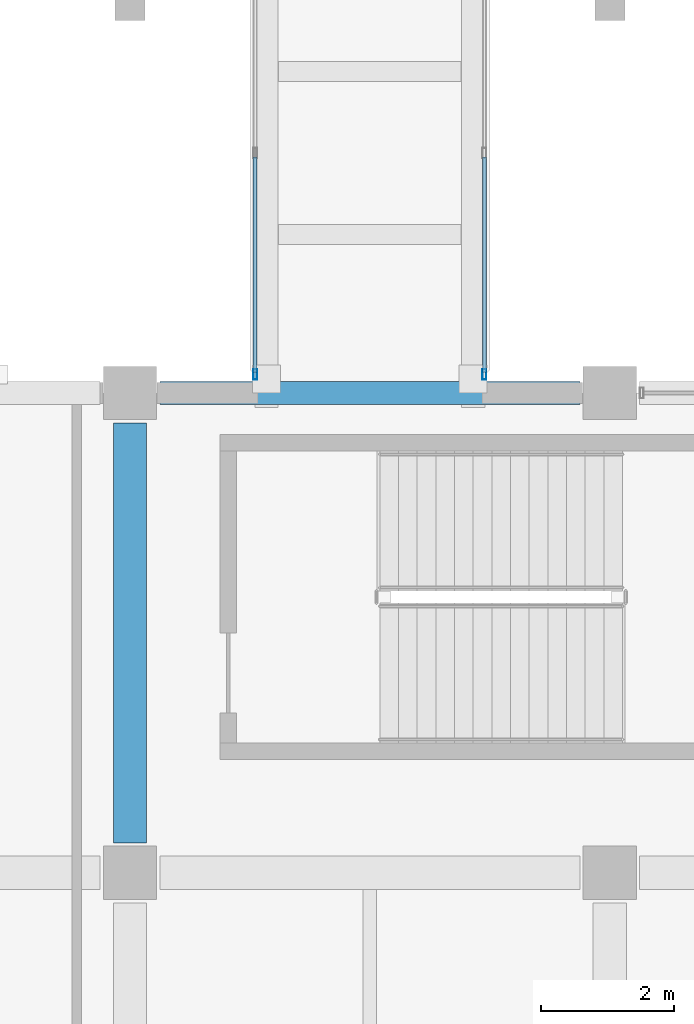
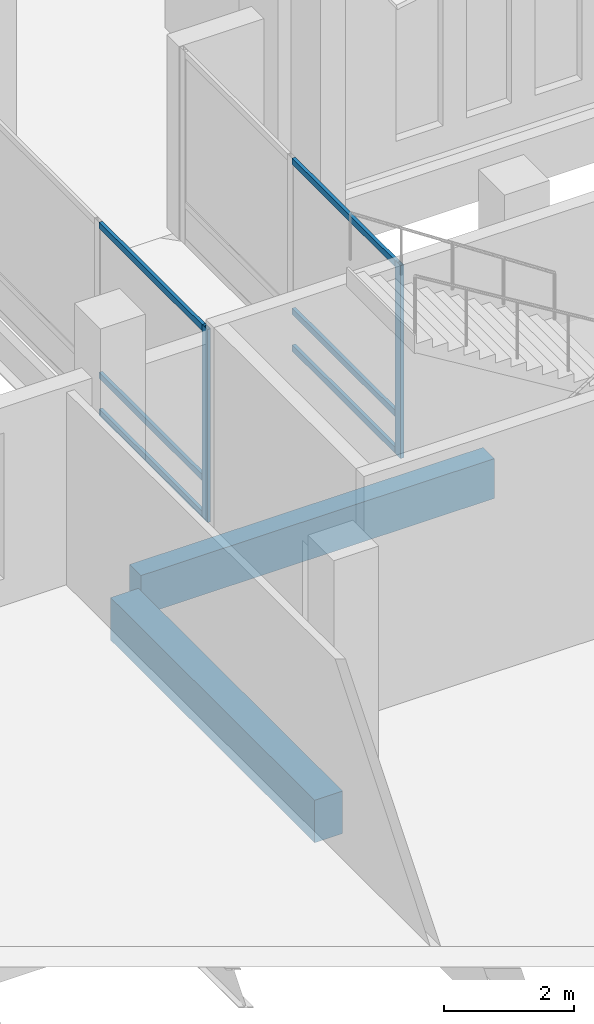
# One storey, part 87 of 220: 8 members, 2 beams, 2 elements without a shape of their own.
"""IFC4 building model written with IfcOpenShell, lengths in metres."""

from ifc_helpers import new_model, si_unit, direction, frame, origin, origin_2d, place, context, subcontext, project, spatial, rectangle, hollow_rectangle, extrude, material, material_profile, profile_set, type_object, element, aggregate, save


model = new_model("IFC4")

# Units and contexts
model_context = context("Model", 3, precision=1e-05, world=origin(), true_north=direction((0.0, 1.0)))
body_context = subcontext(model_context, "Body", "Model", "MODEL_VIEW")
ifc_project = project(units=[si_unit("LENGTHUNIT", "METRE"), si_unit("AREAUNIT", "SQUARE_METRE"), si_unit("VOLUMEUNIT", "CUBIC_METRE"), si_unit("PLANEANGLEUNIT", "RADIAN"), si_unit("MASSUNIT", "GRAM", prefix="KILO")], contexts=[model_context])

# Site, building, storey
site_placement = place(None, origin())
site = spatial("IfcSite", under=ifc_project, at=site_placement, CompositionType="ELEMENT")
building_placement = place(site_placement, origin())
building = spatial("IfcBuilding", under=site, at=building_placement, Name="Cendralis Lancet Convention Centre", CompositionType="ELEMENT")
storey_placement = place(building_placement, frame((0.0, 0.0, 5.39990234375)))
storey = spatial("IfcBuildingStorey", under=building, at=storey_placement, Name="L01", CompositionType="ELEMENT", Elevation=5.39990234375)

# Curtain wall, member
ifc_material_1 = material(Name="Anodised bronze architectural aluminium", Category="aluminium")
curtain_wall_type = type_object("IfcCurtainWallType", Name="ARC-CW-BR01", PredefinedType="USERDEFINED", material=ifc_material_1)
curtain_wall_1_placement = place(storey_placement, origin())
curtain_wall_1 = element("IfcCurtainWall", 1, at=curtain_wall_1_placement, inside=storey, type_object=curtain_wall_type, Name="L01 Curtain Wall CW-BR1 #213", ObjectType="CURTAIN WALL", PredefinedType="USERDEFINED")
ifc_material_profile_1 = material_profile(ifc_material_1, hollow_rectangle(XDim=0.06005859375, YDim=0.159912109375, WallThickness=0.00390625, at=origin_2d()), Name="AL-MULL 60x160x4.0")
ifc_profile_set_1 = profile_set([ifc_material_profile_1], Name="Anodised bronze architectural aluminium")
member_type_1 = type_object("IfcMemberType", Name="ARC-CW-ML01", PredefinedType="MULLION", material=ifc_profile_set_1)
member_1_placement = place(storey_placement, frame((148.280029296875, 36.280029296875, 0.0), z_axis=(0.0, 0.0, 1.0), x_axis=(1.0, 0.0, 0.0)))
member_1 = element("IfcMember", 2, at=member_1_placement, type_object=member_type_1, Name="Mullion CW2-CW-BR1-L01-213-M0", PredefinedType="MULLION", context=body_context, shape_type="SweptSolid", body=[
    extrude(hollow_rectangle(XDim=0.06005859375, YDim=0.159912109375, WallThickness=0.00390625, at=origin_2d()), origin(), (0.0, 0.0, 1.0), 3.635009765625),
])

curtain_wall_2_placement = place(storey_placement, origin())
curtain_wall_2 = element("IfcCurtainWall", 3, at=curtain_wall_2_placement, inside=storey, type_object=curtain_wall_type, Name="L01 Curtain Wall CW-BR1 #214", ObjectType="CURTAIN WALL", PredefinedType="USERDEFINED")
member_2_placement = place(storey_placement, frame((151.719970703125, 36.280029296875, 0.0), z_axis=(0.0, 0.0, 1.0), x_axis=(1.0, 0.0, 0.0)))
member_2 = element("IfcMember", 4, at=member_2_placement, type_object=member_type_1, Name="Mullion CW2-CW-BR1-L01-214-M0", PredefinedType="MULLION", context=body_context, shape_type="SweptSolid", body=[
    extrude(hollow_rectangle(XDim=0.06005859375, YDim=0.159912109375, WallThickness=0.00390625, at=origin_2d()), origin(), (0.0, 0.0, 1.0), 3.635009765625),
])

# Member
ifc_material_profile_2 = material_profile(ifc_material_1, hollow_rectangle(XDim=0.06005859375, YDim=0.1201171875, WallThickness=0.00390625, at=origin_2d()), Name="AL-TRAN 60x120x4.0")
ifc_profile_set_2 = profile_set([ifc_material_profile_2], Name="Anodised bronze architectural aluminium")
member_type_2 = type_object("IfcMemberType", Name="ARC-CW-TR01", PredefinedType="USERDEFINED", material=ifc_profile_set_2)
member_3_placement = place(storey_placement, frame((148.280029296875, 36.31005859375, 0.06005859375), z_axis=(0.0, 1.0, 0.0), x_axis=(-1.0, 0.0, 0.0)))
member_3 = element("IfcMember", 5, at=member_3_placement, type_object=member_type_2, Name="Transom CW2-CW-BR1-L01-213-T0BOT", ObjectType="TRANSOM", PredefinedType="USERDEFINED", context=body_context, shape_type="SweptSolid", body=[
    extrude(hollow_rectangle(XDim=0.06005859375, YDim=0.1201171875, WallThickness=0.00390625, at=origin_2d()), origin(), (0.0, 0.0, 1.0), 3.22998046875),
])

member_4_placement = place(storey_placement, frame((148.280029296875, 36.31005859375, 0.75), z_axis=(0.0, 1.0, 0.0), x_axis=(-1.0, 0.0, 0.0)))
member_4 = element("IfcMember", 6, at=member_4_placement, type_object=member_type_2, Name="Transom CW2-CW-BR1-L01-213-T0MID", ObjectType="TRANSOM", PredefinedType="USERDEFINED", context=body_context, shape_type="SweptSolid", body=[
    extrude(hollow_rectangle(XDim=0.06005859375, YDim=0.1201171875, WallThickness=0.00390625, at=origin_2d()), origin(), (0.0, 0.0, 1.0), 3.22998046875),
])

member_5_placement = place(storey_placement, frame((148.280029296875, 36.31005859375, 3.5751953125), z_axis=(0.0, 1.0, 0.0), x_axis=(-1.0, 0.0, 0.0)))
member_5 = element("IfcMember", 7, at=member_5_placement, type_object=member_type_2, Name="Transom CW2-CW-BR1-L01-213-T0TOP", ObjectType="TRANSOM", PredefinedType="USERDEFINED", context=body_context, shape_type="SweptSolid", body=[
    extrude(hollow_rectangle(XDim=0.06005859375, YDim=0.1201171875, WallThickness=0.00390625, at=origin_2d()), origin(), (0.0, 0.0, 1.0), 3.22998046875),
])

aggregate(curtain_wall_1, [member_1, member_3, member_4, member_5])

member_6_placement = place(storey_placement, frame((151.719970703125, 36.31005859375, 0.06005859375), z_axis=(0.0, 1.0, 0.0), x_axis=(-1.0, 0.0, 0.0)))
member_6 = element("IfcMember", 8, at=member_6_placement, type_object=member_type_2, Name="Transom CW2-CW-BR1-L01-214-T0BOT", ObjectType="TRANSOM", PredefinedType="USERDEFINED", context=body_context, shape_type="SweptSolid", body=[
    extrude(hollow_rectangle(XDim=0.06005859375, YDim=0.1201171875, WallThickness=0.00390625, at=origin_2d()), origin(), (0.0, 0.0, 1.0), 3.22998046875),
])

member_7_placement = place(storey_placement, frame((151.719970703125, 36.31005859375, 0.75), z_axis=(0.0, 1.0, 0.0), x_axis=(-1.0, 0.0, 0.0)))
member_7 = element("IfcMember", 9, at=member_7_placement, type_object=member_type_2, Name="Transom CW2-CW-BR1-L01-214-T0MID", ObjectType="TRANSOM", PredefinedType="USERDEFINED", context=body_context, shape_type="SweptSolid", body=[
    extrude(hollow_rectangle(XDim=0.06005859375, YDim=0.1201171875, WallThickness=0.00390625, at=origin_2d()), origin(), (0.0, 0.0, 1.0), 3.22998046875),
])

member_8_placement = place(storey_placement, frame((151.719970703125, 36.31005859375, 3.5751953125), z_axis=(0.0, 1.0, 0.0), x_axis=(-1.0, 0.0, 0.0)))
member_8 = element("IfcMember", 10, at=member_8_placement, type_object=member_type_2, Name="Transom CW2-CW-BR1-L01-214-T0TOP", ObjectType="TRANSOM", PredefinedType="USERDEFINED", context=body_context, shape_type="SweptSolid", body=[
    extrude(hollow_rectangle(XDim=0.06005859375, YDim=0.1201171875, WallThickness=0.00390625, at=origin_2d()), origin(), (0.0, 0.0, 1.0), 3.22998046875),
])

aggregate(curtain_wall_2, [member_2, member_6, member_7, member_8])

# Beams
ifc_material_2 = material(Name="Concrete G35 (C35/45)", Category="concrete")
ifc_material_profile_3 = material_profile(ifc_material_2, rectangle(XDim=0.5, YDim=0.800048828125, at=origin_2d()), Name="RCB 500x800")
ifc_profile_set_3 = profile_set([ifc_material_profile_3], Name="Concrete G35 (C35/45)")
beam_type_1 = type_object("IfcBeamType", Name="STR-BM-BG09", PredefinedType="BEAM", material=ifc_profile_set_3)
beam_1_placement = place(storey_placement, frame((146.39990234375, 29.25, -0.679931640625), z_axis=(0.0, 1.0, 0.0), x_axis=(-1.0, 0.0, 0.0)))
element("IfcBeam", 11, at=beam_1_placement, inside=storey, type_object=beam_type_1, Name="L01 Beam BG09 #0188", PredefinedType="BEAM", context=body_context, shape_type="SweptSolid", body=[
    extrude(rectangle(XDim=0.5, YDim=0.800048828125, at=origin_2d()), origin(), (0.0, 0.0, 1.0), 6.300048828125),
])
ifc_material_3 = material(Name="Concrete G40 (C40/50)", Category="concrete")
ifc_material_profile_4 = material_profile(ifc_material_3, rectangle(XDim=0.35009765625, YDim=0.75, at=origin_2d()), Name="RCB 350x750")
ifc_profile_set_4 = profile_set([ifc_material_profile_4], Name="Concrete G40 (C40/50)")
beam_type_2 = type_object("IfcBeamType", Name="STR-SP-SP01", PredefinedType="SPANDREL", material=ifc_profile_set_4)
beam_2_placement = place(storey_placement, frame((146.85009765625, 36.0, -0.65478515625), z_axis=(1.0, 0.0, 0.0), x_axis=(0.0, 1.0, 0.0)))
element("IfcBeam", 12, at=beam_2_placement, inside=storey, type_object=beam_type_2, Name="L01 Beam SP01 #0169", PredefinedType="SPANDREL", context=body_context, shape_type="SweptSolid", body=[
    extrude(rectangle(XDim=0.35009765625, YDim=0.75, at=origin_2d()), origin(), (0.0, 0.0, 1.0), 6.2998046875),
])

save(model, "model.ifc")
